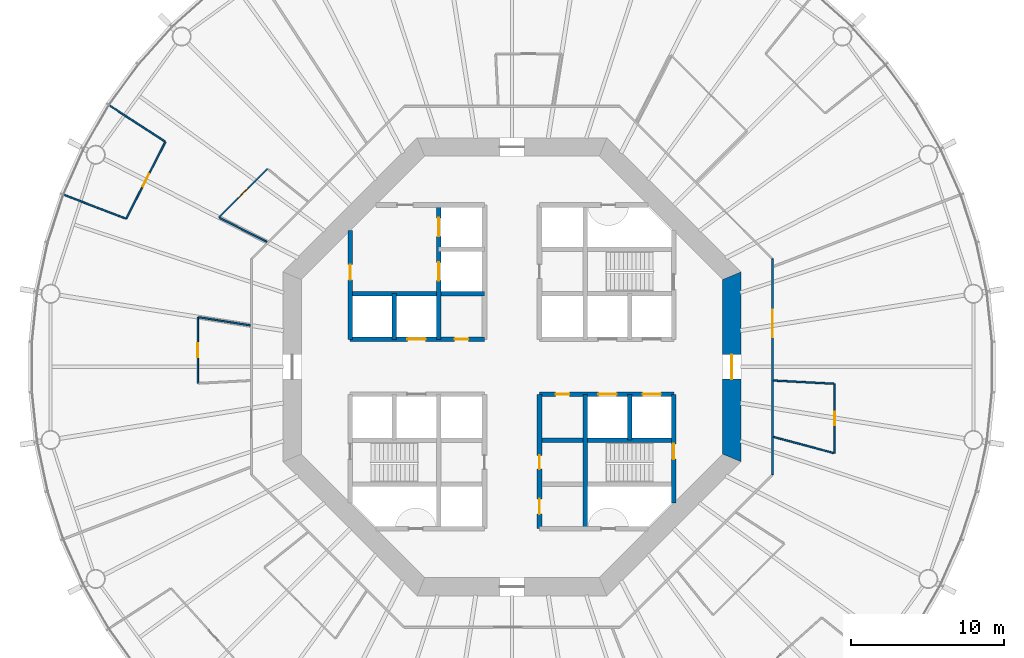
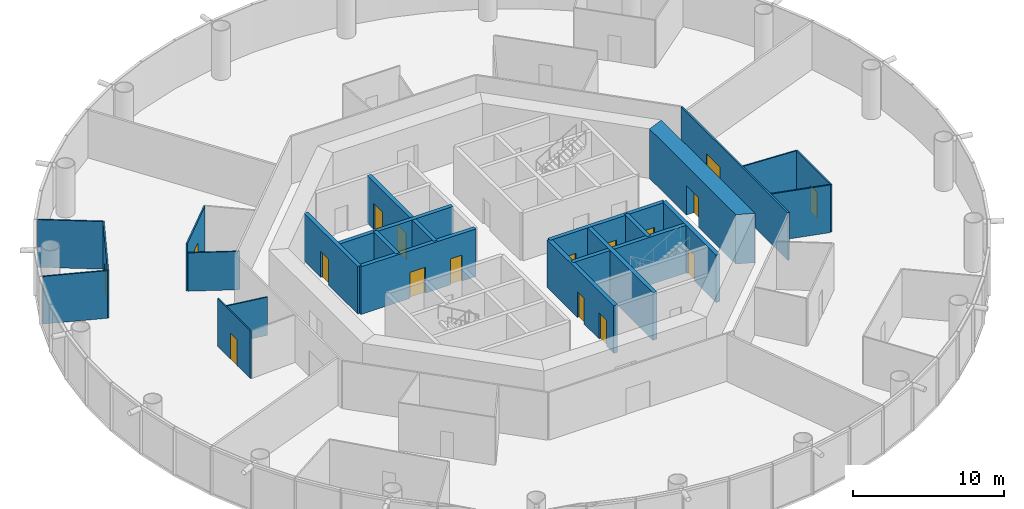
# One storey, part 4 of 13: 23 walls, 17 doors, 17 openings.
"""IFC4 building model written with IfcOpenShell, lengths in metres."""

from ifc_helpers import new_model, si_unit, direction, frame, frame_2d, origin, place, context, subcontext, project, spatial, polyline, rectangle, outline, extrude, material, layer, layer_set, type_object, element, fill, save


model = new_model("IFC4")

# Units and contexts
model_context = context("Model", 3, precision=1e-05, world=origin(), true_north=direction((0.0, 1.0)))
body_context = subcontext(model_context, "Body", "Model", "MODEL_VIEW")
ifc_project = project(units=[si_unit("LENGTHUNIT", "METRE"), si_unit("AREAUNIT", "SQUARE_METRE"), si_unit("VOLUMEUNIT", "CUBIC_METRE"), si_unit("PLANEANGLEUNIT", "RADIAN"), si_unit("MASSUNIT", "GRAM", prefix="KILO")], contexts=[model_context])

# Site, building, storey
site_placement = place(None, origin())
site = spatial("IfcSite", under=ifc_project, at=site_placement, CompositionType="ELEMENT")
building_placement = place(site_placement, origin())
building = spatial("IfcBuilding", under=site, at=building_placement, Name="Entoto Ring Tower", CompositionType="ELEMENT")
storey_placement = place(building_placement, frame((0.0, 0.0, 112.0)))
storey = spatial("IfcBuildingStorey", under=building, at=storey_placement, Name="L25", CompositionType="ELEMENT", Elevation=112.0)

# Wall, opening, door
ifc_material_1 = material(Name="Concrete C40/50", Category="concrete")
ifc_layer_1 = layer(ifc_material_1, 0.300048828125)
ifc_layer_set_1 = layer_set([ifc_layer_1], Name="Concrete C40/50")
wall_type_1 = type_object("IfcWallType", Name="Core enclosure wall 300 mm reinforced concrete", PredefinedType="SOLIDWALL", material=ifc_layer_set_1)
wall_1_placement = place(storey_placement, frame((100.60009765625, 71.083984375, 0.0), z_axis=(0.0, 0.0, 1.0), x_axis=(0.0, 1.0, 0.0)))
wall_1 = element("IfcWall", 1, at=wall_1_placement, inside=storey, type_object=wall_type_1, Name="wall-L25-001", PredefinedType="SOLIDWALL", context=body_context, shape_type="SweptSolid", body=[
    extrude(rectangle(XDim=7.115966796875, YDim=0.300048828125, at=frame_2d((3.55810546875, 0.0))), origin(), (0.0, 0.0, 1.0), 3.85009765625),
])
opening_1_placement = place(wall_1_placement, frame((2.8662109375, 0.0, 0.0)))
opening_1 = element("IfcOpeningElement", 2, at=opening_1_placement, cuts=wall_1, Name="Opening K-61", PredefinedType="OPENING", context=body_context, shape_type="SweptSolid", body=[
    extrude(rectangle(XDim=1.0, YDim=2.10009765625, at=frame_2d((0.5, 1.050048828125))), frame((0.0, 0.16015625, 0.0), z_axis=(0.0, -1.0, 0.0), x_axis=(1.0, 0.0, 0.0)), (0.0, 0.0, 1.0), 0.320068359375),
])
ifc_material_2 = material(Name="Steel door leaf, fire rated", Category="steel")
ifc_layer_2 = layer(ifc_material_2, 0.050048828125)
ifc_layer_set_2 = layer_set([ifc_layer_2], Name="Steel door leaf, fire rated")
door_type_1 = type_object("IfcDoorType", Name="Fire door FD60 1000 x 2100 single leaf", OperationType="NOTDEFINED", PredefinedType="DOOR", material=ifc_layer_set_2)
door_1_placement = place(opening_1_placement, origin())
door_1 = element("IfcDoor", 3, at=door_1_placement, inside=storey, type_object=door_type_1, Name="Door K-61", OperationType="SINGLE_SWING_RIGHT", OverallHeight=2.10009765625, OverallWidth=1.0, PredefinedType="DOOR", context=body_context, shape_type="SweptSolid", body=[
    extrude(rectangle(XDim=1.0, YDim=2.10009765625, at=frame_2d((0.5, 1.050048828125))), frame((0.0, 0.02490234375, 0.0), z_axis=(0.0, -1.0, 0.0), x_axis=(1.0, 0.0, 0.0)), (0.0, 0.0, 1.0), 0.050048828125),
])
fill(opening_1, door_1)

# Walls
wall_2_placement = place(storey_placement, frame((97.699951171875, 75.199951171875, 0.0), z_axis=(0.0, 0.0, 1.0), x_axis=(0.0, 1.0, 0.0)))
element("IfcWall", 4, at=wall_2_placement, inside=storey, type_object=wall_type_1, Name="wall-L25-003", PredefinedType="SOLIDWALL", context=body_context, shape_type="SweptSolid", body=[
    extrude(rectangle(XDim=3.0, YDim=0.300048828125, at=frame_2d((1.5, 0.0))), origin(), (0.0, 0.0, 1.0), 3.85009765625),
])
wall_3_placement = place(storey_placement, frame((94.800048828125, 69.39990234375, 0.0), z_axis=(0.0, 0.0, 1.0), x_axis=(0.0, 1.0, 0.0)))
element("IfcWall", 5, at=wall_3_placement, inside=storey, type_object=wall_type_1, Name="wall-L25-005", PredefinedType="SOLIDWALL", context=body_context, shape_type="SweptSolid", body=[
    extrude(rectangle(XDim=8.800048828125, YDim=0.300048828125, at=frame_2d((4.39990234375, 0.0))), origin(), (0.0, 0.0, 1.0), 3.85009765625),
])

# Wall, openings, doors
wall_4_placement = place(storey_placement, frame((91.800048828125, 69.39990234375, 0.0), z_axis=(0.0, 0.0, 1.0), x_axis=(0.0, 1.0, 0.0)))
wall_4 = element("IfcWall", 6, at=wall_4_placement, inside=storey, type_object=wall_type_1, Name="wall-L25-007", PredefinedType="SOLIDWALL", context=body_context, shape_type="SweptSolid", body=[
    extrude(rectangle(XDim=8.800048828125, YDim=0.300048828125, at=frame_2d((4.39990234375, 0.0))), origin(), (0.0, 0.0, 1.0), 3.85009765625),
])
opening_2_placement = place(wall_4_placement, frame((3.89990234375, 0.0, 0.0)))
opening_2 = element("IfcOpeningElement", 7, at=opening_2_placement, cuts=wall_4, Name="Opening K-12", PredefinedType="OPENING", context=body_context, shape_type="SweptSolid", body=[
    extrude(rectangle(XDim=0.89990234375, YDim=2.10009765625, at=frame_2d((0.449951171875, 1.050048828125))), frame((0.0, 0.16015625, 0.0), z_axis=(0.0, -1.0, 0.0), x_axis=(1.0, 0.0, 0.0)), (0.0, 0.0, 1.0), 0.320068359375),
])
opening_3_placement = place(wall_4_placement, frame((0.949951171875, 0.0, 0.0)))
opening_3 = element("IfcOpeningElement", 8, at=opening_3_placement, cuts=wall_4, Name="Opening K-13", PredefinedType="OPENING", context=body_context, shape_type="SweptSolid", body=[
    extrude(rectangle(XDim=1.0, YDim=2.10009765625, at=frame_2d((0.5, 1.050048828125))), frame((0.0, 0.16015625, 0.0), z_axis=(0.0, -1.0, 0.0), x_axis=(1.0, 0.0, 0.0)), (0.0, 0.0, 1.0), 0.320068359375),
])
ifc_material_3 = material(Name="Steel door leaf, fire rated", Category="steel")
ifc_layer_3 = layer(ifc_material_3, 0.050048828125)
ifc_layer_set_3 = layer_set([ifc_layer_3], Name="Steel door leaf, fire rated")
door_type_2 = type_object("IfcDoorType", Name="Accessible door 1000 x 2100 single leaf", OperationType="NOTDEFINED", PredefinedType="DOOR", material=ifc_layer_set_3)
door_2_placement = place(opening_3_placement, frame((1.0, 0.0, 0.0), z_axis=(0.0, 0.0, 1.0), x_axis=(-1.0, 0.0, 0.0)))
door_2 = element("IfcDoor", 9, at=door_2_placement, inside=storey, type_object=door_type_2, Name="Door K-13", OperationType="SINGLE_SWING_LEFT", OverallHeight=2.10009765625, OverallWidth=1.0, PredefinedType="DOOR", context=body_context, shape_type="SweptSolid", body=[
    extrude(rectangle(XDim=1.0, YDim=2.10009765625, at=frame_2d((0.5, 1.050048828125))), frame((0.0, 0.02490234375, 0.0), z_axis=(0.0, -1.0, 0.0), x_axis=(1.0, 0.0, 0.0)), (0.0, 0.0, 1.0), 0.050048828125),
])
fill(opening_3, door_2)
ifc_material_4 = material(Name="Steel door leaf, fire rated", Category="steel")
ifc_layer_4 = layer(ifc_material_4, 0.050048828125)
ifc_layer_set_4 = layer_set([ifc_layer_4], Name="Steel door leaf, fire rated")
door_type_3 = type_object("IfcDoorType", Name="Core door 900 x 2100 single leaf", OperationType="NOTDEFINED", PredefinedType="DOOR", material=ifc_layer_set_4)
door_3_placement = place(opening_2_placement, frame((0.89990234375, 0.0, 0.0), z_axis=(0.0, 0.0, 1.0), x_axis=(-1.0, 0.0, 0.0)))
door_3 = element("IfcDoor", 10, at=door_3_placement, inside=storey, type_object=door_type_3, Name="Door K-12", OperationType="SINGLE_SWING_LEFT", OverallHeight=2.10009765625, OverallWidth=0.89990234375, PredefinedType="DOOR", context=body_context, shape_type="SweptSolid", body=[
    extrude(rectangle(XDim=0.89990234375, YDim=2.10009765625, at=frame_2d((0.449951171875, 1.050048828125))), frame((0.0, 0.02490234375, 0.0), z_axis=(0.0, -1.0, 0.0), x_axis=(1.0, 0.0, 0.0)), (0.0, 0.0, 1.0), 0.050048828125),
])
fill(opening_2, door_3)

wall_5_placement = place(storey_placement, frame((85.199951171875, 81.800048828125, 0.0), z_axis=(0.0, 0.0, 1.0), x_axis=(0.0, 1.0, 0.0)))
wall_5 = element("IfcWall", 11, at=wall_5_placement, inside=storey, type_object=wall_type_1, Name="wall-L25-012", PredefinedType="SOLIDWALL", context=body_context, shape_type="SweptSolid", body=[
    extrude(rectangle(XDim=8.800048828125, YDim=0.300048828125, at=frame_2d((4.39990234375, 0.0))), origin(), (0.0, 0.0, 1.0), 3.85009765625),
])
opening_4_placement = place(wall_5_placement, frame((3.85009765625, 0.0, 0.0)))
opening_4 = element("IfcOpeningElement", 12, at=opening_4_placement, cuts=wall_5, Name="Opening LD", PredefinedType="OPENING", context=body_context, shape_type="SweptSolid", body=[
    extrude(rectangle(XDim=1.199951171875, YDim=2.10009765625, at=frame_2d((0.60009765625, 1.050048828125))), frame((0.0, 0.16015625, 0.0), z_axis=(0.0, -1.0, 0.0), x_axis=(1.0, 0.0, 0.0)), (0.0, 0.0, 1.0), 0.320068359375),
])
opening_5_placement = place(wall_5_placement, frame((6.75, 0.0, 0.0)))
opening_5 = element("IfcOpeningElement", 13, at=opening_5_placement, cuts=wall_5, Name="Opening LD", PredefinedType="OPENING", context=body_context, shape_type="SweptSolid", body=[
    extrude(rectangle(XDim=1.199951171875, YDim=2.10009765625, at=frame_2d((0.60009765625, 1.050048828125))), frame((0.0, 0.16015625, 0.0), z_axis=(0.0, -1.0, 0.0), x_axis=(1.0, 0.0, 0.0)), (0.0, 0.0, 1.0), 0.320068359375),
])
ifc_material_5 = material(Name="Steel and glass door leaf", Category="steel")
ifc_layer_5 = layer(ifc_material_5, 0.050048828125)
ifc_layer_set_5 = layer_set([ifc_layer_5], Name="Steel and glass door leaf")
door_type_4 = type_object("IfcDoorType", Name="Landing door 1200 x 2100 sliding", OperationType="DOUBLE_DOOR_SLIDING", PredefinedType="DOOR", material=ifc_layer_set_5)
door_4_placement = place(opening_4_placement, origin())
door_4 = element("IfcDoor", 14, at=door_4_placement, inside=storey, type_object=door_type_4, Name="Landing door FF1", OperationType="SLIDING_TO_RIGHT", OverallHeight=2.10009765625, OverallWidth=1.199951171875, PredefinedType="DOOR", context=body_context, shape_type="SweptSolid", body=[
    extrude(rectangle(XDim=1.199951171875, YDim=2.10009765625, at=frame_2d((0.60009765625, 1.050048828125))), frame((0.0, 0.02490234375, 0.0), z_axis=(0.0, -1.0, 0.0), x_axis=(1.0, 0.0, 0.0)), (0.0, 0.0, 1.0), 0.050048828125),
])
fill(opening_4, door_4)
door_5_placement = place(opening_5_placement, origin())
door_5 = element("IfcDoor", 15, at=door_5_placement, inside=storey, type_object=door_type_4, Name="Landing door FF2", OperationType="SLIDING_TO_RIGHT", OverallHeight=2.10009765625, OverallWidth=1.199951171875, PredefinedType="DOOR", context=body_context, shape_type="SweptSolid", body=[
    extrude(rectangle(XDim=1.199951171875, YDim=2.10009765625, at=frame_2d((0.60009765625, 1.050048828125))), frame((0.0, 0.02490234375, 0.0), z_axis=(0.0, -1.0, 0.0), x_axis=(1.0, 0.0, 0.0)), (0.0, 0.0, 1.0), 0.050048828125),
])
fill(opening_5, door_5)

# Wall
wall_6_placement = place(storey_placement, frame((82.300048828125, 81.800048828125, 0.0), z_axis=(0.0, 0.0, 1.0), x_axis=(0.0, 1.0, 0.0)))
element("IfcWall", 16, at=wall_6_placement, inside=storey, type_object=wall_type_1, Name="wall-L25-014", PredefinedType="SOLIDWALL", context=body_context, shape_type="SweptSolid", body=[
    extrude(rectangle(XDim=3.0, YDim=0.300048828125, at=frame_2d((1.5, 0.0))), origin(), (0.0, 0.0, 1.0), 3.85009765625),
])

# Wall, opening, door
wall_7_placement = place(storey_placement, frame((79.39990234375, 81.800048828125, 0.0), z_axis=(0.0, 0.0, 1.0), x_axis=(0.0, 1.0, 0.0)))
wall_7 = element("IfcWall", 17, at=wall_7_placement, inside=storey, type_object=wall_type_1, Name="wall-L25-016", PredefinedType="SOLIDWALL", context=body_context, shape_type="SweptSolid", body=[
    extrude(rectangle(XDim=7.115966796875, YDim=0.300048828125, at=frame_2d((3.55810546875, 0.0))), origin(), (0.0, 0.0, 1.0), 3.85009765625),
])
opening_6_placement = place(wall_7_placement, frame((3.89990234375, 0.0, 0.0)))
opening_6 = element("IfcOpeningElement", 18, at=opening_6_placement, cuts=wall_7, Name="Opening K-23", PredefinedType="OPENING", context=body_context, shape_type="SweptSolid", body=[
    extrude(rectangle(XDim=1.0, YDim=2.10009765625, at=frame_2d((0.5, 1.050048828125))), frame((0.0, 0.16015625, 0.0), z_axis=(0.0, -1.0, 0.0), x_axis=(1.0, 0.0, 0.0)), (0.0, 0.0, 1.0), 0.320068359375),
])
door_6_placement = place(opening_6_placement, frame((1.0, 0.0, 0.0), z_axis=(0.0, 0.0, 1.0), x_axis=(-1.0, 0.0, 0.0)))
door_6 = element("IfcDoor", 19, at=door_6_placement, inside=storey, type_object=door_type_1, Name="Door K-23", OperationType="SINGLE_SWING_LEFT", OverallHeight=2.10009765625, OverallWidth=1.0, PredefinedType="DOOR", context=body_context, shape_type="SweptSolid", body=[
    extrude(rectangle(XDim=1.0, YDim=2.10009765625, at=frame_2d((0.5, 1.050048828125))), frame((0.0, 0.02490234375, 0.0), z_axis=(0.0, -1.0, 0.0), x_axis=(1.0, 0.0, 0.0)), (0.0, 0.0, 1.0), 0.050048828125),
])
fill(opening_6, door_6)

# Wall
wall_8_placement = place(storey_placement, frame((91.800048828125, 75.199951171875, 0.0), z_axis=(0.0, 0.0, 1.0), x_axis=(1.0, 0.0, 0.0)))
element("IfcWall", 20, at=wall_8_placement, inside=storey, type_object=wall_type_1, Name="wall-L25-022", PredefinedType="SOLIDWALL", context=body_context, shape_type="SweptSolid", body=[
    extrude(rectangle(XDim=8.800048828125, YDim=0.300048828125, at=frame_2d((4.39990234375, 0.0))), origin(), (0.0, 0.0, 1.0), 3.85009765625),
])

# Wall, openings, doors
wall_9_placement = place(storey_placement, frame((91.800048828125, 78.199951171875, 0.0), z_axis=(0.0, 0.0, 1.0), x_axis=(1.0, 0.0, 0.0)))
wall_9 = element("IfcWall", 21, at=wall_9_placement, inside=storey, type_object=wall_type_1, Name="wall-L25-024", PredefinedType="SOLIDWALL", context=body_context, shape_type="SweptSolid", body=[
    extrude(rectangle(XDim=8.800048828125, YDim=0.300048828125, at=frame_2d((4.39990234375, 0.0))), origin(), (0.0, 0.0, 1.0), 3.85009765625),
])
opening_7_placement = place(wall_9_placement, frame((3.85009765625, 0.0, 0.0)))
opening_7 = element("IfcOpeningElement", 22, at=opening_7_placement, cuts=wall_9, Name="Opening LD", PredefinedType="OPENING", context=body_context, shape_type="SweptSolid", body=[
    extrude(rectangle(XDim=1.199951171875, YDim=2.10009765625, at=frame_2d((0.60009765625, 1.050048828125))), frame((0.0, 0.16015625, 0.0), z_axis=(0.0, -1.0, 0.0), x_axis=(1.0, 0.0, 0.0)), (0.0, 0.0, 1.0), 0.320068359375),
])
opening_8_placement = place(wall_9_placement, frame((6.75, 0.0, 0.0)))
opening_8 = element("IfcOpeningElement", 23, at=opening_8_placement, cuts=wall_9, Name="Opening LD", PredefinedType="OPENING", context=body_context, shape_type="SweptSolid", body=[
    extrude(rectangle(XDim=1.199951171875, YDim=2.10009765625, at=frame_2d((0.60009765625, 1.050048828125))), frame((0.0, 0.16015625, 0.0), z_axis=(0.0, -1.0, 0.0), x_axis=(1.0, 0.0, 0.0)), (0.0, 0.0, 1.0), 0.320068359375),
])
opening_9_placement = place(wall_9_placement, frame((1.050048828125, 0.0, 0.0)))
opening_9 = element("IfcOpeningElement", 24, at=opening_9_placement, cuts=wall_9, Name="Opening K-16", PredefinedType="OPENING", context=body_context, shape_type="SweptSolid", body=[
    extrude(rectangle(XDim=0.89990234375, YDim=2.10009765625, at=frame_2d((0.449951171875, 1.050048828125))), frame((0.0, 0.16015625, 0.0), z_axis=(0.0, -1.0, 0.0), x_axis=(1.0, 0.0, 0.0)), (0.0, 0.0, 1.0), 0.320068359375),
])
door_7_placement = place(opening_9_placement, frame((0.89990234375, 0.0, 0.0), z_axis=(0.0, 0.0, 1.0), x_axis=(-1.0, 0.0, 0.0)))
door_7 = element("IfcDoor", 25, at=door_7_placement, inside=storey, type_object=door_type_3, Name="Door K-16", OperationType="SINGLE_SWING_RIGHT", OverallHeight=2.10009765625, OverallWidth=0.89990234375, PredefinedType="DOOR", context=body_context, shape_type="SweptSolid", body=[
    extrude(rectangle(XDim=0.89990234375, YDim=2.10009765625, at=frame_2d((0.449951171875, 1.050048828125))), frame((0.0, 0.02490234375, 0.0), z_axis=(0.0, -1.0, 0.0), x_axis=(1.0, 0.0, 0.0)), (0.0, 0.0, 1.0), 0.050048828125),
])
fill(opening_9, door_7)
door_8_placement = place(opening_7_placement, origin())
door_8 = element("IfcDoor", 26, at=door_8_placement, inside=storey, type_object=door_type_4, Name="Landing door LB4-LR", OperationType="SLIDING_TO_RIGHT", OverallHeight=2.10009765625, OverallWidth=1.199951171875, PredefinedType="DOOR", context=body_context, shape_type="SweptSolid", body=[
    extrude(rectangle(XDim=1.199951171875, YDim=2.10009765625, at=frame_2d((0.60009765625, 1.050048828125))), frame((0.0, 0.02490234375, 0.0), z_axis=(0.0, -1.0, 0.0), x_axis=(1.0, 0.0, 0.0)), (0.0, 0.0, 1.0), 0.050048828125),
])
fill(opening_7, door_8)
door_9_placement = place(opening_8_placement, origin())
door_9 = element("IfcDoor", 27, at=door_9_placement, inside=storey, type_object=door_type_4, Name="Landing door LB5-LR", OperationType="SLIDING_TO_RIGHT", OverallHeight=2.10009765625, OverallWidth=1.199951171875, PredefinedType="DOOR", context=body_context, shape_type="SweptSolid", body=[
    extrude(rectangle(XDim=1.199951171875, YDim=2.10009765625, at=frame_2d((0.60009765625, 1.050048828125))), frame((0.0, 0.02490234375, 0.0), z_axis=(0.0, -1.0, 0.0), x_axis=(1.0, 0.0, 0.0)), (0.0, 0.0, 1.0), 0.050048828125),
])
fill(opening_8, door_9)

wall_10_placement = place(storey_placement, frame((79.39990234375, 81.800048828125, 0.0), z_axis=(0.0, 0.0, 1.0), x_axis=(1.0, 0.0, 0.0)))
wall_10 = element("IfcWall", 28, at=wall_10_placement, inside=storey, type_object=wall_type_1, Name="wall-L25-025", PredefinedType="SOLIDWALL", context=body_context, shape_type="SweptSolid", body=[
    extrude(rectangle(XDim=8.800048828125, YDim=0.300048828125, at=frame_2d((4.39990234375, 0.0))), origin(), (0.0, 0.0, 1.0), 3.85009765625),
])
opening_10_placement = place(wall_10_placement, frame((3.75, 0.0, 0.0)))
opening_10 = element("IfcOpeningElement", 29, at=opening_10_placement, cuts=wall_10, Name="Opening LD", PredefinedType="OPENING", context=body_context, shape_type="SweptSolid", body=[
    extrude(rectangle(XDim=1.199951171875, YDim=2.10009765625, at=frame_2d((0.60009765625, 1.050048828125))), frame((0.0, 0.16015625, 0.0), z_axis=(0.0, -1.0, 0.0), x_axis=(1.0, 0.0, 0.0)), (0.0, 0.0, 1.0), 0.320068359375),
])
opening_11_placement = place(wall_10_placement, frame((6.85009765625, 0.0, 0.0)))
opening_11 = element("IfcOpeningElement", 30, at=opening_11_placement, cuts=wall_10, Name="Opening K-15", PredefinedType="OPENING", context=body_context, shape_type="SweptSolid", body=[
    extrude(rectangle(XDim=0.89990234375, YDim=2.10009765625, at=frame_2d((0.449951171875, 1.050048828125))), frame((0.0, 0.16015625, 0.0), z_axis=(0.0, -1.0, 0.0), x_axis=(1.0, 0.0, 0.0)), (0.0, 0.0, 1.0), 0.320068359375),
])
door_10_placement = place(opening_11_placement, frame((0.89990234375, 0.0, 0.0), z_axis=(0.0, 0.0, 1.0), x_axis=(-1.0, 0.0, 0.0)))
door_10 = element("IfcDoor", 31, at=door_10_placement, inside=storey, type_object=door_type_3, Name="Door K-15", OperationType="SINGLE_SWING_RIGHT", OverallHeight=2.10009765625, OverallWidth=0.89990234375, PredefinedType="DOOR", context=body_context, shape_type="SweptSolid", body=[
    extrude(rectangle(XDim=0.89990234375, YDim=2.10009765625, at=frame_2d((0.449951171875, 1.050048828125))), frame((0.0, 0.02490234375, 0.0), z_axis=(0.0, -1.0, 0.0), x_axis=(1.0, 0.0, 0.0)), (0.0, 0.0, 1.0), 0.050048828125),
])
fill(opening_11, door_10)
door_11_placement = place(opening_10_placement, origin())
door_11 = element("IfcDoor", 32, at=door_11_placement, inside=storey, type_object=door_type_4, Name="Landing door LB3-LR", OperationType="SLIDING_TO_RIGHT", OverallHeight=2.10009765625, OverallWidth=1.199951171875, PredefinedType="DOOR", context=body_context, shape_type="SweptSolid", body=[
    extrude(rectangle(XDim=1.199951171875, YDim=2.10009765625, at=frame_2d((0.60009765625, 1.050048828125))), frame((0.0, 0.02490234375, 0.0), z_axis=(0.0, -1.0, 0.0), x_axis=(1.0, 0.0, 0.0)), (0.0, 0.0, 1.0), 0.050048828125),
])
fill(opening_10, door_11)

# Wall
wall_11_placement = place(storey_placement, frame((79.39990234375, 84.800048828125, 0.0), z_axis=(0.0, 0.0, 1.0), x_axis=(1.0, 0.0, 0.0)))
element("IfcWall", 33, at=wall_11_placement, inside=storey, type_object=wall_type_1, Name="wall-L25-027", PredefinedType="SOLIDWALL", context=body_context, shape_type="SweptSolid", body=[
    extrude(rectangle(XDim=8.800048828125, YDim=0.300048828125, at=frame_2d((4.39990234375, 0.0))), origin(), (0.0, 0.0, 1.0), 3.85009765625),
])

# Wall, opening, door
ifc_material_6 = material(Name="Concrete C60/75", Category="concrete")
ifc_layer_6 = layer(ifc_material_6, 1.199951171875)
ifc_layer_set_6 = layer_set([ifc_layer_6], Name="Concrete C60/75")
wall_type_2 = type_object("IfcWallType", Name="Core shear wall 1200 mm reinforced concrete C60/75", PredefinedType="SHEAR", material=ifc_layer_set_6)
wall_12_placement = place(storey_placement, frame((104.39990234375, 74.035400390625, 0.0), z_axis=(0.0, 0.0, 1.0), x_axis=(0.0, 1.0, 0.0)))
wall_12 = element("IfcWall", 34, at=wall_12_placement, inside=storey, type_object=wall_type_2, Name="wall-L25-core-0", PredefinedType="SHEAR", context=body_context, shape_type="SweptSolid", body=[
    extrude(outline(polyline([(-0.24853515625, -0.60009765625), (12.177734375, -0.60009765625), (11.6806640625, 0.60009765625), (0.24853515625, 0.60009765625), (-0.24853515625, -0.60009765625)])), origin(), (0.0, 0.0, 1.0), 4.0),
])
opening_12_placement = place(wall_12_placement, frame((5.164794921875, 0.0, 0.0)))
opening_12 = element("IfcOpeningElement", 35, at=opening_12_placement, cuts=wall_12, Name="Opening K-01", PredefinedType="OPENING", context=body_context, shape_type="SweptSolid", body=[
    extrude(rectangle(XDim=1.60009765625, YDim=2.39990234375, at=frame_2d((0.800048828125, 1.199951171875))), frame((0.0, 0.60986328125, 0.0), z_axis=(0.0, -1.0, 0.0), x_axis=(1.0, 0.0, 0.0)), (0.0, 0.0, 1.0), 1.219970703125),
])
ifc_material_7 = material(Name="Steel door leaf, fire rated", Category="steel")
ifc_layer_7 = layer(ifc_material_7, 0.050048828125)
ifc_layer_set_7 = layer_set([ifc_layer_7], Name="Steel door leaf, fire rated")
door_type_5 = type_object("IfcDoorType", Name="Entrance door FD60 1600 x 2400 double leaf", OperationType="DOUBLE_DOOR_SINGLE_SWING", PredefinedType="DOOR", material=ifc_layer_set_7)
door_12_placement = place(opening_12_placement, origin())
door_12 = element("IfcDoor", 36, at=door_12_placement, inside=storey, type_object=door_type_5, Name="Entrance door K-01", OperationType="DOUBLE_DOOR_SINGLE_SWING", OverallHeight=2.39990234375, OverallWidth=1.60009765625, PredefinedType="DOOR", context=body_context, shape_type="SweptSolid", body=[
    extrude(rectangle(XDim=1.60009765625, YDim=2.39990234375, at=frame_2d((0.800048828125, 1.199951171875))), frame((0.0, 0.02490234375, 0.0), z_axis=(0.0, -1.0, 0.0), x_axis=(1.0, 0.0, 0.0)), (0.0, 0.0, 1.0), 0.050048828125),
])
fill(opening_12, door_12)

ifc_material_8 = material(Name="Fire-resisting plasterboard on steel studs", Category="steel")
ifc_layer_8 = layer(ifc_material_8, 0.125)
ifc_layer_set_8 = layer_set([ifc_layer_8], Name="Fire-resisting plasterboard on steel studs")
wall_type_3 = type_object("IfcWallType", Name="Corridor wall 125 mm one-hour plasterboard on steel studs", PredefinedType="PARTITIONING", material=ifc_layer_set_8)
wall_13_placement = place(storey_placement, frame((107.0625, 72.9326171875, 0.0), z_axis=(0.0, 0.0, 1.0), x_axis=(0.0, 1.0, 0.0)))
wall_13 = element("IfcWall", 37, at=wall_13_placement, inside=storey, type_object=wall_type_3, Name="partition-L25-004", PredefinedType="PARTITIONING", context=body_context, shape_type="SweptSolid", body=[
    extrude(rectangle(XDim=14.134765625, YDim=0.125, at=frame_2d((7.0673828125, 0.0))), origin(), (0.0, 0.0, 1.0), 3.85009765625),
])
opening_13_placement = place(wall_13_placement, frame((8.995361328125, 0.0, 0.0)))
opening_13 = element("IfcOpeningElement", 38, at=opening_13_placement, cuts=wall_13, Name="Opening A10-D12", PredefinedType="OPENING", context=body_context, shape_type="SweptSolid", body=[
    extrude(rectangle(XDim=1.800048828125, YDim=2.10009765625, at=frame_2d((0.89990234375, 1.050048828125))), frame((0.0, 0.072509765625, 0.0), z_axis=(0.0, -1.0, 0.0), x_axis=(1.0, 0.0, 0.0)), (0.0, 0.0, 1.0), 0.14501953125),
])
ifc_material_9 = material(Name="Fire-resisting timber door set", Category="wood")
door_type_6 = type_object("IfcDoorType", Name="Door 1800 x 2100 double leaf FD30S fire door", OperationType="DOUBLE_DOOR_SINGLE_SWING", PredefinedType="DOOR", material=ifc_material_9)
door_13_placement = place(opening_13_placement, frame((1.800048828125, 0.0, 0.0), z_axis=(0.0, 0.0, 1.0), x_axis=(-1.0, 0.0, 0.0)))
door_13 = element("IfcDoor", 39, at=door_13_placement, inside=storey, type_object=door_type_6, Name="Door A10-D12", OperationType="DOUBLE_DOOR_SINGLE_SWING", OverallHeight=2.10009765625, OverallWidth=1.800048828125, PredefinedType="DOOR", context=body_context, shape_type="SweptSolid", body=[
    extrude(rectangle(XDim=1.800048828125, YDim=2.10009765625, at=frame_2d((0.89990234375, 1.050048828125))), frame((0.0, 0.02490234375, 0.0), z_axis=(0.0, -1.0, 0.0), x_axis=(1.0, 0.0, 0.0)), (0.0, 0.0, 1.0), 0.050048828125),
])
fill(opening_13, door_13)

ifc_material_10 = material(Name="Plasterboard on steel studs", Category="steel")
ifc_layer_9 = layer(ifc_material_10, 0.10009765625)
ifc_layer_set_9 = layer_set([ifc_layer_9], Name="Plasterboard on steel studs")
wall_type_4 = type_object("IfcWallType", Name="Partition 100 mm plasterboard on steel studs", PredefinedType="PARTITIONING", material=ifc_layer_set_9)
wall_14_placement = place(storey_placement, frame((64.72802734375, 89.700927734375, 0.0), z_axis=(0.0, 0.0, 1.0), x_axis=(0.453965202268, 0.891019413442, 0.0)))
wall_14 = element("IfcWall", 40, at=wall_14_placement, inside=storey, type_object=wall_type_4, Name="partition-L25-018", PredefinedType="PARTITIONING", context=body_context, shape_type="SweptSolid", body=[
    extrude(rectangle(XDim=5.6591796875, YDim=0.10009765625, at=frame_2d((2.82958984375, 0.0))), origin(), (0.0, 0.0, 1.0), 3.85009765625),
])
opening_14_placement = place(wall_14_placement, frame((2.379638671875, 0.0, 0.0)))
opening_14 = element("IfcOpeningElement", 41, at=opening_14_placement, cuts=wall_14, Name="Opening A10-D08", PredefinedType="OPENING", context=body_context, shape_type="SweptSolid", body=[
    extrude(rectangle(XDim=0.89990234375, YDim=2.10009765625, at=frame_2d((0.449951171875, 1.050048828125))), frame((0.0, 0.06005859375, 0.0), z_axis=(0.0, -1.0, 0.0), x_axis=(1.0, 0.0, 0.0)), (0.0, 0.0, 1.0), 0.1201171875),
])
ifc_material_11 = material(Name="Veneered timber door leaf in timber frame", Category="wood")
door_type_7 = type_object("IfcDoorType", Name="Door 900 x 2100 single leaf timber veneer", OperationType="NOTDEFINED", PredefinedType="DOOR", material=ifc_material_11)
door_14_placement = place(opening_14_placement, origin())
door_14 = element("IfcDoor", 42, at=door_14_placement, inside=storey, type_object=door_type_7, Name="Door A10-D08", OperationType="SINGLE_SWING_LEFT", OverallHeight=2.10009765625, OverallWidth=0.89990234375, PredefinedType="DOOR", context=body_context, shape_type="SweptSolid", body=[
    extrude(rectangle(XDim=0.89990234375, YDim=2.10009765625, at=frame_2d((0.449951171875, 1.050048828125))), frame((0.0, 0.02490234375, 0.0), z_axis=(0.0, -1.0, 0.0), x_axis=(1.0, 0.0, 0.0)), (0.0, 0.0, 1.0), 0.050048828125),
])
fill(opening_14, door_14)

wall_15_placement = place(storey_placement, frame((111.132568359375, 74.337646484375, 0.0), z_axis=(0.0, 0.0, 1.0), x_axis=(0.0, 1.0, 0.0)))
wall_15 = element("IfcWall", 43, at=wall_15_placement, inside=storey, type_object=wall_type_4, Name="partition-L25-028", PredefinedType="PARTITIONING", context=body_context, shape_type="SweptSolid", body=[
    extrude(rectangle(XDim=4.554931640625, YDim=0.10009765625, at=frame_2d((2.27734375, 0.0))), origin(), (0.0, 0.0, 1.0), 3.85009765625),
])
opening_15_placement = place(wall_15_placement, frame((1.827392578125, 0.0, 0.0)))
opening_15 = element("IfcOpeningElement", 44, at=opening_15_placement, cuts=wall_15, Name="Opening A10-D14", PredefinedType="OPENING", context=body_context, shape_type="SweptSolid", body=[
    extrude(rectangle(XDim=0.89990234375, YDim=2.10009765625, at=frame_2d((0.449951171875, 1.050048828125))), frame((0.0, 0.06005859375, 0.0), z_axis=(0.0, -1.0, 0.0), x_axis=(1.0, 0.0, 0.0)), (0.0, 0.0, 1.0), 0.1201171875),
])
door_15_placement = place(opening_15_placement, origin())
door_15 = element("IfcDoor", 45, at=door_15_placement, inside=storey, type_object=door_type_7, Name="Door A10-D14", OperationType="SINGLE_SWING_LEFT", OverallHeight=2.10009765625, OverallWidth=0.89990234375, PredefinedType="DOOR", context=body_context, shape_type="SweptSolid", body=[
    extrude(rectangle(XDim=0.89990234375, YDim=2.10009765625, at=frame_2d((0.449951171875, 1.050048828125))), frame((0.0, 0.02490234375, 0.0), z_axis=(0.0, -1.0, 0.0), x_axis=(1.0, 0.0, 0.0)), (0.0, 0.0, 1.0), 0.050048828125),
])
fill(opening_15, door_15)

wall_16_placement = place(storey_placement, frame((70.801513671875, 89.7822265625, 0.0), z_axis=(0.0, 0.0, 1.0), x_axis=(0.707106781187, 0.707106781187, 0.0)))
wall_16 = element("IfcWall", 46, at=wall_16_placement, inside=storey, type_object=wall_type_4, Name="partition-L25-029", PredefinedType="PARTITIONING", context=body_context, shape_type="SweptSolid", body=[
    extrude(rectangle(XDim=4.50439453125, YDim=0.10009765625, at=frame_2d((2.252197265625, 0.0))), origin(), (0.0, 0.0, 1.0), 3.85009765625),
])
opening_16_placement = place(wall_16_placement, frame((1.80224609375, 0.0, 0.0)))
opening_16 = element("IfcOpeningElement", 47, at=opening_16_placement, cuts=wall_16, Name="Opening A10-D06", PredefinedType="OPENING", context=body_context, shape_type="SweptSolid", body=[
    extrude(rectangle(XDim=0.89990234375, YDim=2.10009765625, at=frame_2d((0.449951171875, 1.050048828125))), frame((0.0, 0.06005859375, 0.0), z_axis=(0.0, -1.0, 0.0), x_axis=(1.0, 0.0, 0.0)), (0.0, 0.0, 1.0), 0.1201171875),
])
door_16_placement = place(opening_16_placement, frame((0.89990234375, 0.0, 0.0), z_axis=(0.0, 0.0, 1.0), x_axis=(-1.0, 0.0, 0.0)))
door_16 = element("IfcDoor", 48, at=door_16_placement, inside=storey, type_object=door_type_7, Name="Door A10-D06", OperationType="SINGLE_SWING_RIGHT", OverallHeight=2.10009765625, OverallWidth=0.89990234375, PredefinedType="DOOR", context=body_context, shape_type="SweptSolid", body=[
    extrude(rectangle(XDim=0.89990234375, YDim=2.10009765625, at=frame_2d((0.449951171875, 1.050048828125))), frame((0.0, 0.02490234375, 0.0), z_axis=(0.0, -1.0, 0.0), x_axis=(1.0, 0.0, 0.0)), (0.0, 0.0, 1.0), 0.050048828125),
])
fill(opening_16, door_16)

# Walls
wall_17_placement = place(storey_placement, frame((64.681640625, 89.71875, 0.0), z_axis=(0.0, 0.0, 1.0), x_axis=(-0.933576980361, 0.358376926908, 0.0)))
element("IfcWall", 49, at=wall_17_placement, inside=storey, type_object=wall_type_4, Name="partition-L25-030", PredefinedType="PARTITIONING", context=body_context, shape_type="SweptSolid", body=[
    extrude(rectangle(XDim=4.3203125, YDim=0.10009765625, at=frame_2d((2.16015625, 0.0))), origin(), (0.0, 0.0, 1.0), 3.85009765625),
])
wall_18_placement = place(storey_placement, frame((67.255615234375, 94.7705078125, 0.0), z_axis=(0.0, 0.0, 1.0), x_axis=(-0.838683666773, 0.544618864059, 0.0)))
element("IfcWall", 50, at=wall_18_placement, inside=storey, type_object=wall_type_4, Name="partition-L25-031", PredefinedType="PARTITIONING", context=body_context, shape_type="SweptSolid", body=[
    extrude(rectangle(XDim=4.320556640625, YDim=0.10009765625, at=frame_2d((2.16015625, 0.0))), origin(), (0.0, 0.0, 1.0), 3.85009765625),
])

# Wall, opening, door
wall_19_placement = place(storey_placement, frame((69.41748046875, 78.92138671875, 0.0), z_axis=(0.0, 0.0, 1.0), x_axis=(0.0, 1.0, 0.0)))
wall_19 = element("IfcWall", 51, at=wall_19_placement, inside=storey, type_object=wall_type_4, Name="partition-L25-032", PredefinedType="PARTITIONING", context=body_context, shape_type="SweptSolid", body=[
    extrude(rectangle(XDim=4.338623046875, YDim=0.10009765625, at=frame_2d((2.16943359375, 0.0))), origin(), (0.0, 0.0, 1.0), 3.85009765625),
])
opening_17_placement = place(wall_19_placement, frame((1.71923828125, 0.0, 0.0)))
opening_17 = element("IfcOpeningElement", 52, at=opening_17_placement, cuts=wall_19, Name="Opening A10-D07", PredefinedType="OPENING", context=body_context, shape_type="SweptSolid", body=[
    extrude(rectangle(XDim=0.89990234375, YDim=2.10009765625, at=frame_2d((0.449951171875, 1.050048828125))), frame((0.0, 0.06005859375, 0.0), z_axis=(0.0, -1.0, 0.0), x_axis=(1.0, 0.0, 0.0)), (0.0, 0.0, 1.0), 0.1201171875),
])
door_17_placement = place(opening_17_placement, frame((0.89990234375, 0.0, 0.0), z_axis=(0.0, 0.0, 1.0), x_axis=(-1.0, 0.0, 0.0)))
door_17 = element("IfcDoor", 53, at=door_17_placement, inside=storey, type_object=door_type_7, Name="Door A10-D07", OperationType="SINGLE_SWING_LEFT", OverallHeight=2.10009765625, OverallWidth=0.89990234375, PredefinedType="DOOR", context=body_context, shape_type="SweptSolid", body=[
    extrude(rectangle(XDim=0.89990234375, YDim=2.10009765625, at=frame_2d((0.449951171875, 1.050048828125))), frame((0.0, 0.02490234375, 0.0), z_axis=(0.0, -1.0, 0.0), x_axis=(1.0, 0.0, 0.0)), (0.0, 0.0, 1.0), 0.050048828125),
])
fill(opening_17, door_17)

# Walls
wall_20_placement = place(storey_placement, frame((111.069580078125, 74.3544921875, 0.0), z_axis=(0.0, 0.0, 1.0), x_axis=(-0.965930650438, 0.258801040462, 0.0)))
element("IfcWall", 54, at=wall_20_placement, inside=storey, type_object=wall_type_4, Name="partition-L25-034", PredefinedType="PARTITIONING", context=body_context, shape_type="SweptSolid", body=[
    extrude(rectangle(XDim=4.070556640625, YDim=0.10009765625, at=frame_2d((2.03515625, 0.0))), origin(), (0.0, 0.0, 1.0), 3.85009765625),
])
wall_21_placement = place(storey_placement, frame((111.08251953125, 78.89501953125, 0.0), z_axis=(0.0, 0.0, 1.0), x_axis=(-0.998629385305, 0.052338807835, 0.0)))
element("IfcWall", 55, at=wall_21_placement, inside=storey, type_object=wall_type_4, Name="partition-L25-035", PredefinedType="PARTITIONING", context=body_context, shape_type="SweptSolid", body=[
    extrude(rectangle(XDim=3.960205078125, YDim=0.10009765625, at=frame_2d((1.97998046875, 0.0))), origin(), (0.0, 0.0, 1.0), 3.85009765625),
])
ifc_material_12 = material(Name="Plasterboard on steel studs", Category="steel")
ifc_layer_10 = layer(ifc_material_12, 0.10009765625)
ifc_layer_set_10 = layer_set([ifc_layer_10], Name="Plasterboard on steel studs")
wall_type_5 = type_object("IfcWallType", Name="Partition 100 mm plasterboard on steel studs, 3097 mm high", PredefinedType="PARTITIONING", material=ifc_layer_set_10)
wall_22_placement = place(storey_placement, frame((73.94189453125, 88.181884765625, 0.0), z_axis=(0.0, 0.0, 1.0), x_axis=(-0.89099636542, 0.454010436895, 0.0)))
element("IfcWall", 56, at=wall_22_placement, inside=storey, type_object=wall_type_5, Name="partition-L25-040", PredefinedType="PARTITIONING", context=body_context, shape_type="SweptSolid", body=[
    extrude(rectangle(XDim=3.4560546875, YDim=0.10009765625, at=frame_2d((1.72802734375, 0.0))), origin(), (0.0, 0.0, 1.0), 3.096923828125),
])
wall_23_placement = place(storey_placement, frame((72.8671875, 82.713623046875, 0.0), z_axis=(0.0, 0.0, 1.0), x_axis=(-0.987694857606, 0.156393312706, 0.0)))
element("IfcWall", 57, at=wall_23_placement, inside=storey, type_object=wall_type_5, Name="partition-L25-041", PredefinedType="PARTITIONING", context=body_context, shape_type="SweptSolid", body=[
    extrude(rectangle(XDim=3.434326171875, YDim=0.10009765625, at=frame_2d((1.71728515625, 0.0))), origin(), (0.0, 0.0, 1.0), 3.096923828125),
])

save(model, "model.ifc")
